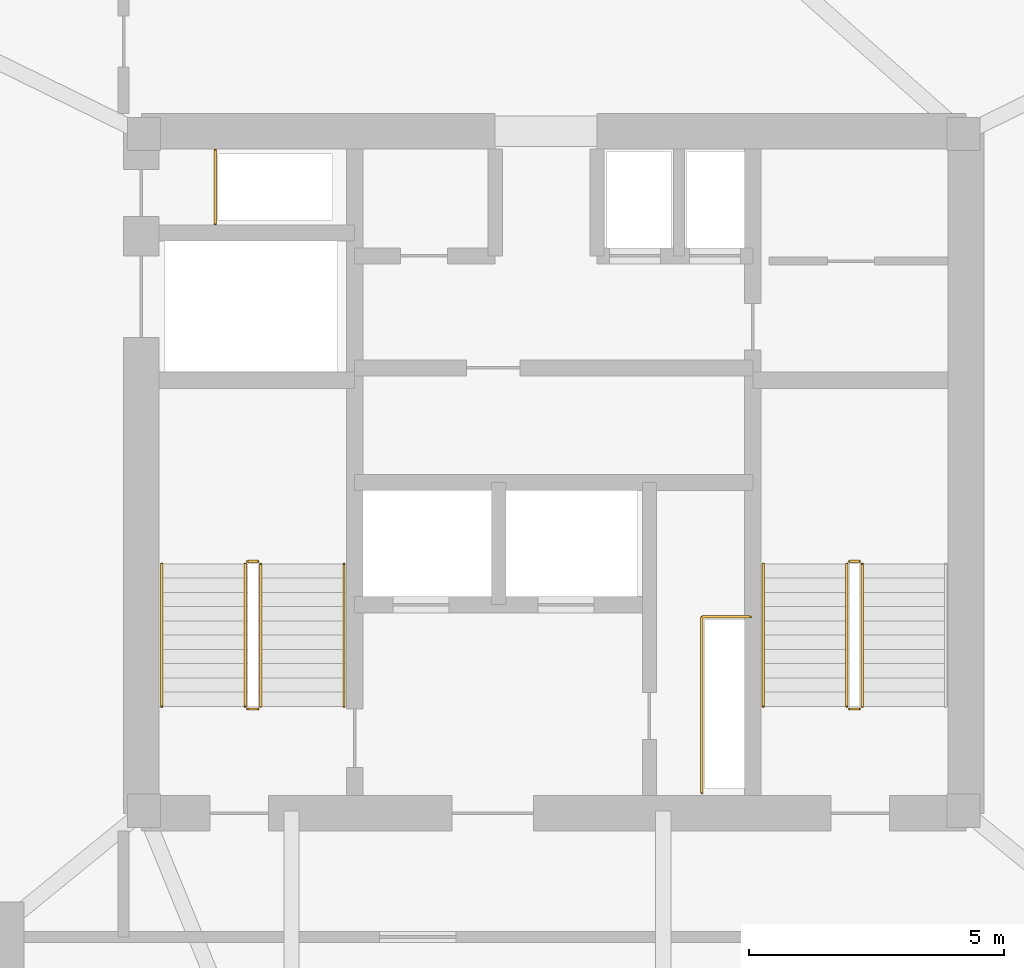
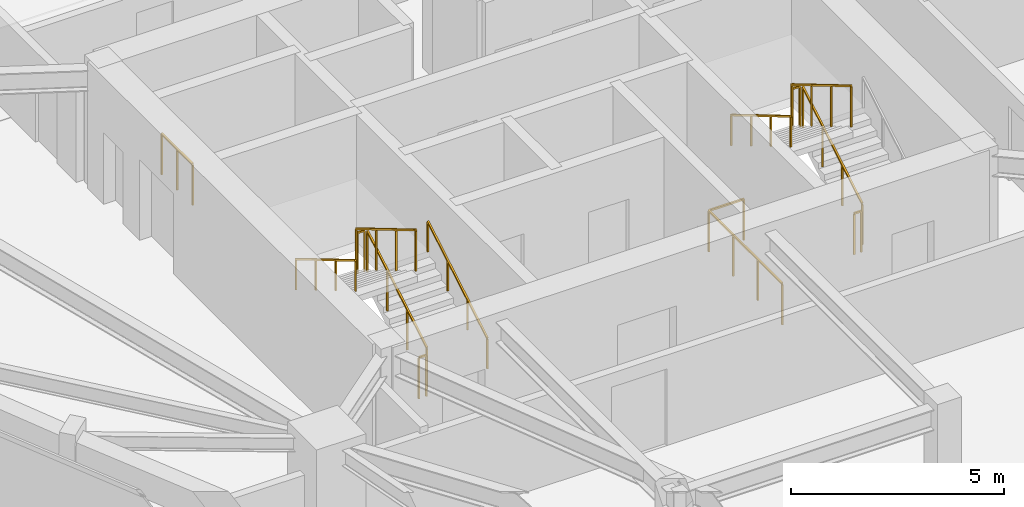
# One storey, part 12 of 13: 13 railings.
"""IFC4 building model written with IfcOpenShell, lengths in metres."""

from ifc_helpers import new_model, si_unit, direction, frame, origin, origin_2d, place, context, subcontext, project, spatial, rectangle, extrude, material, type_object, element, save


model = new_model("IFC4")

# Units and contexts
model_context = context("Model", 3, precision=1e-05, world=origin(), true_north=direction((0.0, 1.0)))
body_context = subcontext(model_context, "Body", "Model", "MODEL_VIEW")
ifc_project = project(units=[si_unit("LENGTHUNIT", "METRE"), si_unit("AREAUNIT", "SQUARE_METRE"), si_unit("VOLUMEUNIT", "CUBIC_METRE"), si_unit("PLANEANGLEUNIT", "RADIAN"), si_unit("MASSUNIT", "GRAM", prefix="KILO")], contexts=[model_context])

# Site, building, storey
site_placement = place(None, origin())
site = spatial("IfcSite", under=ifc_project, at=site_placement, CompositionType="ELEMENT")
building_placement = place(site_placement, origin())
building = spatial("IfcBuilding", under=site, at=building_placement, Name="Talyreon Biosciences Tower", CompositionType="ELEMENT")
storey_placement = place(building_placement, frame((0.0, 0.0, 212.25)))
storey = spatial("IfcBuildingStorey", under=building, at=storey_placement, Name="L56", CompositionType="ELEMENT", Elevation=212.25)

# Railings
ifc_material_1 = material(Name="Brushed stainless-steel tubular handrail", Category="steel")
railing_type_1 = type_object("IfcRailingType", Name="StairWallHandrail_900", PredefinedType="HANDRAIL", material=ifc_material_1)
railing_1_placement = place(storey_placement, frame((61.8798828125, 63.39990234375, 0.166015625)))
element("IfcRailing", 1, at=railing_1_placement, inside=storey, type_object=railing_type_1, Name="L56 ST-1 stair handrail 1", PredefinedType="HANDRAIL", context=body_context, shape_type="SweptSolid", body=[
    extrude(rectangle(XDim=0.048095703125, YDim=0.048095703125, at=origin_2d()), frame((0.0, 0.0, 0.8759765625), z_axis=(0.0, 0.860339051648, 0.50972219513), x_axis=(-1.0, 0.0, 0.0)), (0.0, 0.0, 1.0), 3.254638671875),
    extrude(rectangle(XDim=0.0419921875, YDim=0.0419921875, at=origin_2d()), origin(), (0.0, 0.0, 1.0), 0.851806640625),
    extrude(rectangle(XDim=0.0419921875, YDim=0.0419921875, at=origin_2d()), frame((0.0, 0.933349609375, 0.552978515625)), (0.0, 0.0, 1.0), 0.851806640625),
    extrude(rectangle(XDim=0.0419921875, YDim=0.0419921875, at=origin_2d()), frame((0.0, 1.86669921875, 1.10595703125)), (0.0, 0.0, 1.0), 0.851806640625),
    extrude(rectangle(XDim=0.0419921875, YDim=0.0419921875, at=origin_2d()), frame((0.0, 2.800048828125, 1.658935546875)), (0.0, 0.0, 1.0), 0.851806640625),
])
for number, where, name in (
    (2, (58.300048828125, 66.199951171875, 1.990966796875), "L56 ST-1 stair handrail 2"),
    (3, (70.1201171875, 66.199951171875, 1.990966796875), "L56 ST-2 stair handrail 2"),
):
    element("IfcRailing", number, at=place(storey_placement, frame(where)), inside=storey, type_object=railing_type_1, Name=name, PredefinedType="HANDRAIL", context=body_context, shape_type="SweptSolid", body=[
        extrude(rectangle(XDim=0.048095703125, YDim=0.048095703125, at=origin_2d()), frame((0.0, 0.0, 0.8759765625), z_axis=(0.0, -0.860339051648, 0.50972219513), x_axis=(1.0, 0.0, 0.0)), (0.0, 0.0, 1.0), 3.254638671875),
        extrude(rectangle(XDim=0.0419921875, YDim=0.0419921875, at=origin_2d()), origin(), (0.0, 0.0, 1.0), 0.851806640625),
        extrude(rectangle(XDim=0.0419921875, YDim=0.0419921875, at=origin_2d()), frame((0.0, -0.933349609375, 0.552978515625)), (0.0, 0.0, 1.0), 0.851806640625),
        extrude(rectangle(XDim=0.0419921875, YDim=0.0419921875, at=origin_2d()), frame((0.0, -1.86669921875, 1.10595703125)), (0.0, 0.0, 1.0), 0.851806640625),
        extrude(rectangle(XDim=0.0419921875, YDim=0.0419921875, at=origin_2d()), frame((0.0, -2.800048828125, 1.658935546875)), (0.0, 0.0, 1.0), 0.851806640625),
    ])
ifc_material_2 = material(Name="Painted galvanised steel post-and-rail balustrade", Category="steel")
railing_type_2 = type_object("IfcRailingType", Name="TerraceStairGuard_1200", PredefinedType="GUARDRAIL", material=ifc_material_2)
railing_2_placement = place(storey_placement, frame((60.239990234375, 63.39990234375, 0.166015625)))
element("IfcRailing", 4, at=railing_2_placement, inside=storey, type_object=railing_type_2, Name="L56 ST-1 stair guard 1", PredefinedType="GUARDRAIL", context=body_context, shape_type="SweptSolid", body=[
    extrude(rectangle(XDim=0.048095703125, YDim=0.048095703125, at=origin_2d()), frame((0.0, 0.0, 1.17578125), z_axis=(0.0, 0.860339051648, 0.50972219513), x_axis=(-1.0, 0.0, 0.0)), (0.0, 0.0, 1.0), 3.254638671875),
    extrude(rectangle(XDim=0.0419921875, YDim=0.0419921875, at=origin_2d()), origin(), (0.0, 0.0, 1.0), 1.15185546875),
    extrude(rectangle(XDim=0.0419921875, YDim=0.0419921875, at=origin_2d()), frame((0.0, 0.933349609375, 0.552978515625)), (0.0, 0.0, 1.0), 1.15185546875),
    extrude(rectangle(XDim=0.0419921875, YDim=0.0419921875, at=origin_2d()), frame((0.0, 1.86669921875, 1.10595703125)), (0.0, 0.0, 1.0), 1.15185546875),
    extrude(rectangle(XDim=0.0419921875, YDim=0.0419921875, at=origin_2d()), frame((0.0, 2.800048828125, 1.658935546875)), (0.0, 0.0, 1.0), 1.15185546875),
])
railing_3_placement = place(storey_placement, frame((60.18994140625, 66.25, 1.824951171875)))
element("IfcRailing", 5, at=railing_3_placement, inside=storey, type_object=railing_type_2, Name="L56 ST-1 stair guard 2", PredefinedType="GUARDRAIL", context=body_context, shape_type="SweptSolid", body=[
    extrude(rectangle(XDim=0.048095703125, YDim=0.048095703125, at=origin_2d()), frame((0.0, 0.0, 1.17578125), z_axis=(-1.0, 0.0, 0.0), x_axis=(0.0, -1.0, 0.0)), (0.0, 0.0, 1.0), 0.199951171875),
    extrude(rectangle(XDim=0.0419921875, YDim=0.0419921875, at=origin_2d()), origin(), (0.0, 0.0, 1.0), 1.15185546875),
    extrude(rectangle(XDim=0.0419921875, YDim=0.0419921875, at=origin_2d()), frame((-0.199951171875, 0.0, 0.0)), (0.0, 0.0, 1.0), 1.15185546875),
])
railing_4_placement = place(storey_placement, frame((59.93994140625, 66.199951171875, 1.990966796875)))
element("IfcRailing", 6, at=railing_4_placement, inside=storey, type_object=railing_type_2, Name="L56 ST-1 stair guard 3", PredefinedType="GUARDRAIL", context=body_context, shape_type="SweptSolid", body=[
    extrude(rectangle(XDim=0.048095703125, YDim=0.048095703125, at=origin_2d()), frame((0.0, 0.0, 1.17578125), z_axis=(0.0, -0.860339051648, 0.50972219513), x_axis=(1.0, 0.0, 0.0)), (0.0, 0.0, 1.0), 3.254638671875),
    extrude(rectangle(XDim=0.0419921875, YDim=0.0419921875, at=origin_2d()), origin(), (0.0, 0.0, 1.0), 1.15185546875),
    extrude(rectangle(XDim=0.0419921875, YDim=0.0419921875, at=origin_2d()), frame((0.0, -0.933349609375, 0.552978515625)), (0.0, 0.0, 1.0), 1.15185546875),
    extrude(rectangle(XDim=0.0419921875, YDim=0.0419921875, at=origin_2d()), frame((0.0, -1.86669921875, 1.10595703125)), (0.0, 0.0, 1.0), 1.15185546875),
    extrude(rectangle(XDim=0.0419921875, YDim=0.0419921875, at=origin_2d()), frame((0.0, -2.800048828125, 1.658935546875)), (0.0, 0.0, 1.0), 1.15185546875),
])
railing_5_placement = place(storey_placement, frame((60.18994140625, 63.35009765625, 0.0)))
element("IfcRailing", 7, at=railing_5_placement, inside=storey, type_object=railing_type_2, Name="L56 ST-1 stair guard 4", PredefinedType="GUARDRAIL", context=body_context, shape_type="SweptSolid", body=[
    extrude(rectangle(XDim=0.048095703125, YDim=0.048095703125, at=origin_2d()), frame((0.0, 0.0, 1.17578125), z_axis=(-1.0, 0.0, 0.0), x_axis=(0.0, -1.0, 0.0)), (0.0, 0.0, 1.0), 0.199951171875),
    extrude(rectangle(XDim=0.0419921875, YDim=0.0419921875, at=origin_2d()), origin(), (0.0, 0.0, 1.0), 1.15185546875),
    extrude(rectangle(XDim=0.0419921875, YDim=0.0419921875, at=origin_2d()), frame((-0.199951171875, 0.0, 0.0)), (0.0, 0.0, 1.0), 1.15185546875),
])
railing_6_placement = place(storey_placement, frame((72.06005859375, 63.39990234375, 0.166015625)))
element("IfcRailing", 8, at=railing_6_placement, inside=storey, type_object=railing_type_2, Name="L56 ST-2 stair guard 1", PredefinedType="GUARDRAIL", context=body_context, shape_type="SweptSolid", body=[
    extrude(rectangle(XDim=0.048095703125, YDim=0.048095703125, at=origin_2d()), frame((0.0, 0.0, 1.17578125), z_axis=(0.0, 0.860339051648, 0.50972219513), x_axis=(-1.0, 0.0, 0.0)), (0.0, 0.0, 1.0), 3.254638671875),
    extrude(rectangle(XDim=0.0419921875, YDim=0.0419921875, at=origin_2d()), origin(), (0.0, 0.0, 1.0), 1.15185546875),
    extrude(rectangle(XDim=0.0419921875, YDim=0.0419921875, at=origin_2d()), frame((0.0, 0.933349609375, 0.552978515625)), (0.0, 0.0, 1.0), 1.15185546875),
    extrude(rectangle(XDim=0.0419921875, YDim=0.0419921875, at=origin_2d()), frame((0.0, 1.86669921875, 1.10595703125)), (0.0, 0.0, 1.0), 1.15185546875),
    extrude(rectangle(XDim=0.0419921875, YDim=0.0419921875, at=origin_2d()), frame((0.0, 2.800048828125, 1.658935546875)), (0.0, 0.0, 1.0), 1.15185546875),
])
railing_7_placement = place(storey_placement, frame((72.010009765625, 66.25, 1.824951171875)))
element("IfcRailing", 9, at=railing_7_placement, inside=storey, type_object=railing_type_2, Name="L56 ST-2 stair guard 2", PredefinedType="GUARDRAIL", context=body_context, shape_type="SweptSolid", body=[
    extrude(rectangle(XDim=0.048095703125, YDim=0.048095703125, at=origin_2d()), frame((0.0, 0.0, 1.17578125), z_axis=(-1.0, 0.0, 0.0), x_axis=(0.0, -1.0, 0.0)), (0.0, 0.0, 1.0), 0.199951171875),
    extrude(rectangle(XDim=0.0419921875, YDim=0.0419921875, at=origin_2d()), origin(), (0.0, 0.0, 1.0), 1.15185546875),
    extrude(rectangle(XDim=0.0419921875, YDim=0.0419921875, at=origin_2d()), frame((-0.199951171875, 0.0, 0.0)), (0.0, 0.0, 1.0), 1.15185546875),
])
railing_8_placement = place(storey_placement, frame((71.760009765625, 66.199951171875, 1.990966796875)))
element("IfcRailing", 10, at=railing_8_placement, inside=storey, type_object=railing_type_2, Name="L56 ST-2 stair guard 3", PredefinedType="GUARDRAIL", context=body_context, shape_type="SweptSolid", body=[
    extrude(rectangle(XDim=0.048095703125, YDim=0.048095703125, at=origin_2d()), frame((0.0, 0.0, 1.17578125), z_axis=(0.0, -0.860339051648, 0.50972219513), x_axis=(1.0, 0.0, 0.0)), (0.0, 0.0, 1.0), 3.254638671875),
    extrude(rectangle(XDim=0.0419921875, YDim=0.0419921875, at=origin_2d()), origin(), (0.0, 0.0, 1.0), 1.15185546875),
    extrude(rectangle(XDim=0.0419921875, YDim=0.0419921875, at=origin_2d()), frame((0.0, -0.933349609375, 0.552978515625)), (0.0, 0.0, 1.0), 1.15185546875),
    extrude(rectangle(XDim=0.0419921875, YDim=0.0419921875, at=origin_2d()), frame((0.0, -1.86669921875, 1.10595703125)), (0.0, 0.0, 1.0), 1.15185546875),
    extrude(rectangle(XDim=0.0419921875, YDim=0.0419921875, at=origin_2d()), frame((0.0, -2.800048828125, 1.658935546875)), (0.0, 0.0, 1.0), 1.15185546875),
])
railing_9_placement = place(storey_placement, frame((72.010009765625, 63.35009765625, 0.0)))
element("IfcRailing", 11, at=railing_9_placement, inside=storey, type_object=railing_type_2, Name="L56 ST-2 stair guard 4", PredefinedType="GUARDRAIL", context=body_context, shape_type="SweptSolid", body=[
    extrude(rectangle(XDim=0.048095703125, YDim=0.048095703125, at=origin_2d()), frame((0.0, 0.0, 1.17578125), z_axis=(-1.0, 0.0, 0.0), x_axis=(0.0, -1.0, 0.0)), (0.0, 0.0, 1.0), 0.199951171875),
    extrude(rectangle(XDim=0.0419921875, YDim=0.0419921875, at=origin_2d()), origin(), (0.0, 0.0, 1.0), 1.15185546875),
    extrude(rectangle(XDim=0.0419921875, YDim=0.0419921875, at=origin_2d()), frame((-0.199951171875, 0.0, 0.0)), (0.0, 0.0, 1.0), 1.15185546875),
])
railing_10_placement = place(storey_placement, frame((59.35009765625, 72.8798828125, 0.0)))
element("IfcRailing", 12, at=railing_10_placement, inside=storey, type_object=railing_type_2, Name="L56 Exhaust Riser Maintenance Guardrail", PredefinedType="GUARDRAIL", context=body_context, shape_type="SweptSolid", body=[
    extrude(rectangle(XDim=0.048095703125, YDim=0.048095703125, at=origin_2d()), frame((0.0, 0.0, 1.17578125), z_axis=(0.0, 1.0, 0.0), x_axis=(-1.0, 0.0, 0.0)), (0.0, 0.0, 1.0), 1.4501953125),
    extrude(rectangle(XDim=0.0419921875, YDim=0.0419921875, at=origin_2d()), origin(), (0.0, 0.0, 1.0), 1.15185546875),
    extrude(rectangle(XDim=0.0419921875, YDim=0.0419921875, at=origin_2d()), frame((0.0, 0.72509765625, 0.0)), (0.0, 0.0, 1.0), 1.15185546875),
    extrude(rectangle(XDim=0.0419921875, YDim=0.0419921875, at=origin_2d()), frame((0.0, 1.4501953125, 0.0)), (0.0, 0.0, 1.0), 1.15185546875),
])
railing_11_placement = place(storey_placement, frame((68.909912109375, 61.699951171875, 0.0)))
element("IfcRailing", 13, at=railing_11_placement, inside=storey, type_object=railing_type_2, Name="L56 Electrical Riser Maintenance Guardrail", PredefinedType="GUARDRAIL", context=body_context, shape_type="SweptSolid", body=[
    extrude(rectangle(XDim=0.048095703125, YDim=0.048095703125, at=origin_2d()), frame((0.0, 0.0, 1.17578125), z_axis=(0.0, 1.0, 0.0), x_axis=(-1.0, 0.0, 0.0)), (0.0, 0.0, 1.0), 3.4599609375),
    extrude(rectangle(XDim=0.048095703125, YDim=0.048095703125, at=origin_2d()), frame((0.0, 3.4599609375, 1.17578125), z_axis=(1.0, 0.0, 0.0), x_axis=(0.0, 1.0, 0.0)), (0.0, 0.0, 1.0), 0.9501953125),
    extrude(rectangle(XDim=0.0419921875, YDim=0.0419921875, at=origin_2d()), origin(), (0.0, 0.0, 1.0), 1.15185546875),
    extrude(rectangle(XDim=0.0419921875, YDim=0.0419921875, at=origin_2d()), frame((0.0, 1.1533203125, 0.0)), (0.0, 0.0, 1.0), 1.15185546875),
    extrude(rectangle(XDim=0.0419921875, YDim=0.0419921875, at=origin_2d()), frame((0.0, 2.306640625, 0.0)), (0.0, 0.0, 1.0), 1.15185546875),
    extrude(rectangle(XDim=0.0419921875, YDim=0.0419921875, at=origin_2d()), frame((0.0, 3.4599609375, 0.0)), (0.0, 0.0, 1.0), 1.15185546875),
    extrude(rectangle(XDim=0.0419921875, YDim=0.0419921875, at=origin_2d()), frame((0.9501953125, 3.4599609375, 0.0)), (0.0, 0.0, 1.0), 1.15185546875),
])

save(model, "model.ifc")
